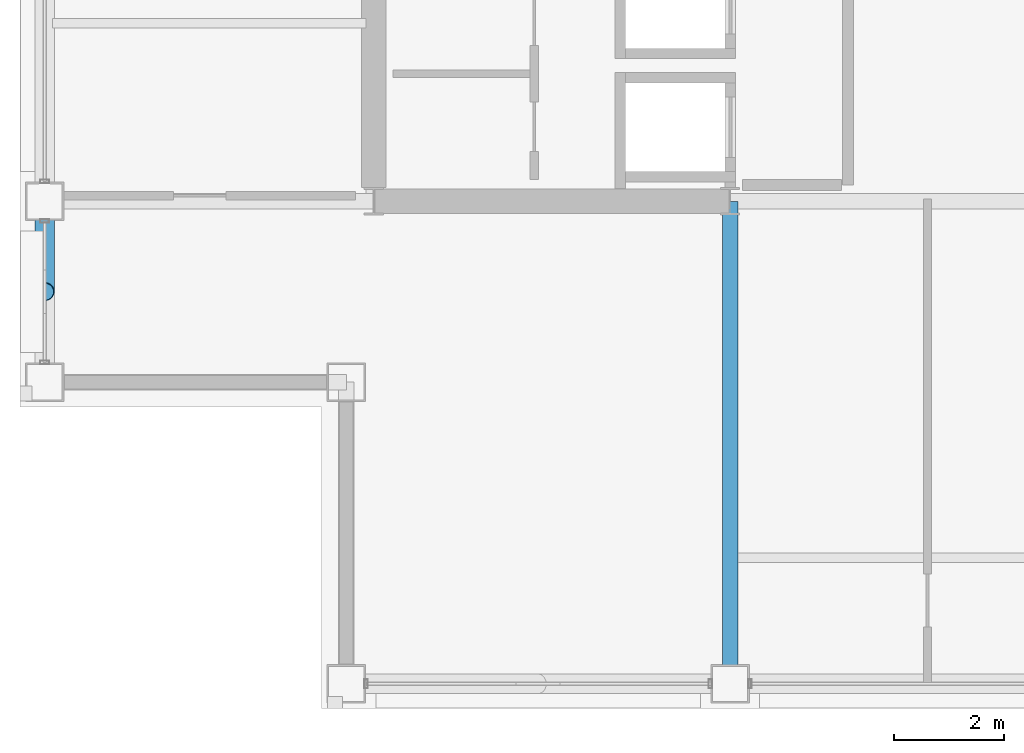
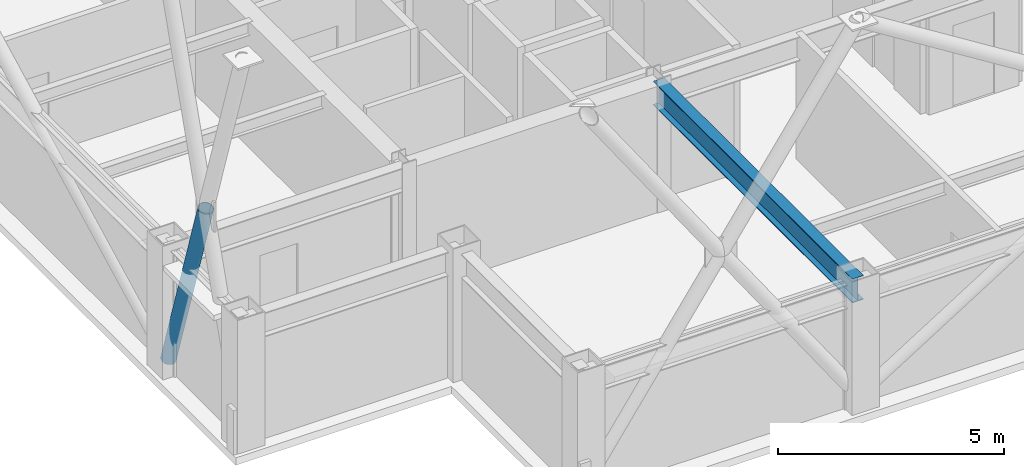
# One storey, part 5 of 33: 1 beam, 1 member.
"""IFC4 building model written with IfcOpenShell, lengths in metres."""

import ifcopenshell
import ifcopenshell.guid

model = None  # the IFC model being written
_history = None  # IfcOwnerHistory: only IFC2X3 demands one
_inside = {}  # id of a spatial element -> (the spatial element, [elements in it])
_under = {}  # id of a project, library or spatial element -> (it, [spatial elements below it])
_declared = {}  # id of a project -> (the project, [libraries it declares])
_typed = {}  # id of a type object -> (the type object, [elements of that type])
_made_of = {}  # id of a material, layer set ... -> (it, [elements and type objects made of it])


def new_model(schema):
    """Start an empty IFC model of exactly this schema.

    Asked for "IFC4X3", IfcOpenShell would pick the latest addendum, in which some entities
    have other attributes; the version numbers below select the first issue.
    IFC2X3 requires an IfcOwnerHistory on every rooted entity: one is made here for all.
    """
    global model, _history
    if schema == "IFC4X3":
        model = ifcopenshell.file(schema_version=(4, 3, 0, 0))
    else:
        model = ifcopenshell.file(schema=schema)
    _inside.clear()
    _under.clear()
    _declared.clear()
    _typed.clear()
    _made_of.clear()
    _history = None
    if model.schema == "IFC2X3":
        org = make("IfcOrganization", Name="unknown")
        user = make(
            "IfcPersonAndOrganization",
            ThePerson=make("IfcPerson", FamilyName="unknown"),
            TheOrganization=org,
        )
        app = make(
            "IfcApplication",
            ApplicationDeveloper=org,
            Version="unknown",
            ApplicationFullName="unknown",
            ApplicationIdentifier="unknown",
        )
        _history = make(
            "IfcOwnerHistory",
            OwningUser=user,
            OwningApplication=app,
            ChangeAction="ADDED",
            CreationDate=0,
        )
    return model


def make(cls, **values):
    """One entity of the class cls with the attributes given. An attribute that is None is left unset."""
    return model.create_entity(
        cls, **{name: value for name, value in values.items() if value is not None}
    )


def rooted(cls, **values):
    """An entity with a GlobalId (a new one), such as an element, a storey or a relation."""
    return make(cls, GlobalId=ifcopenshell.guid.new(), OwnerHistory=_history, **values)


def si_unit(unit_type, name, prefix=None):
    """IfcSIUnit, for example si_unit("LENGTHUNIT", "METRE", prefix="MILLI")."""
    return make("IfcSIUnit", UnitType=unit_type, Prefix=prefix, Name=name)


def assignment(units):
    """IfcUnitAssignment: the units of a project."""
    return None if units is None else make("IfcUnitAssignment", Units=units)


def point(xyz):
    """IfcCartesianPoint."""
    return None if xyz is None else make("IfcCartesianPoint", Coordinates=xyz)


def direction(xyz):
    """IfcDirection."""
    return None if xyz is None else make("IfcDirection", DirectionRatios=xyz)


def frame(location, z_axis=None, x_axis=None):
    """IfcAxis2Placement3D, a coordinate frame: its origin and axes. An axis left out is left unset."""
    return make(
        "IfcAxis2Placement3D",
        Location=point(location),
        Axis=direction(z_axis),
        RefDirection=direction(x_axis),
    )


def frame_2d(location, x_axis=None):
    """IfcAxis2Placement2D, a coordinate frame in the plane: its origin and x axis."""
    return make(
        "IfcAxis2Placement2D", Location=point(location), RefDirection=direction(x_axis)
    )


def origin():
    """The frame at (0, 0, 0) with its axes left unset."""
    return frame((0.0, 0.0, 0.0))


def origin_2d():
    """The frame at (0, 0) in the plane with its x axis left unset."""
    return frame_2d((0.0, 0.0))


def place(relative_to, where):
    """IfcLocalPlacement: puts the frame where relative to a parent placement (None: the world)."""
    return make(
        "IfcLocalPlacement", PlacementRelTo=relative_to, RelativePlacement=where
    )


def context(
    kind, dimensions, precision=None, world=None, true_north=None, identifier=None
):
    """IfcGeometricRepresentationContext, for example the 3D "Model" context."""
    return make(
        "IfcGeometricRepresentationContext",
        ContextIdentifier=identifier,
        ContextType=kind,
        CoordinateSpaceDimension=dimensions,
        Precision=precision,
        WorldCoordinateSystem=world,
        TrueNorth=true_north,
    )


def subcontext(parent, identifier, kind, view, scale=None):
    """IfcGeometricRepresentationSubContext, for example "Body" below "Model"."""
    return make(
        "IfcGeometricRepresentationSubContext",
        ContextIdentifier=identifier,
        ContextType=kind,
        ParentContext=parent,
        TargetScale=scale,
        TargetView=view,
    )


def project(units=None, contexts=None):
    """IfcProject with its units and contexts."""
    return rooted(
        "IfcProject",
        Name="project",
        RepresentationContexts=contexts,
        UnitsInContext=assignment(units),
    )


def spatial(cls, under=None, at=None, **own):
    """A site, building, storey or space (cls), placed at a placement, below another one or the project."""
    s = rooted(cls, ObjectPlacement=at, **own)
    if under is not None:
        _under.setdefault(under.id(), (under, []))[1].append(s)
    return s


def profile(cls, at=None, kind="AREA", **sizes):
    """A parametric profile (cls). Its sizes go by their IFC names, for example OverallWidth=200.0."""
    return make(cls, ProfileType=kind, Position=at, **sizes)


def hollow_circle(**sizes):
    """IfcCircleHollowProfileDef."""
    return profile("IfcCircleHollowProfileDef", **sizes)


def i_section(**sizes):
    """IfcIShapeProfileDef."""
    return profile("IfcIShapeProfileDef", **sizes)


def extrude(swept, where, along, depth):
    """IfcExtrudedAreaSolid: the profile swept, set in the frame where, extruded along a direction by depth."""
    return make(
        "IfcExtrudedAreaSolid",
        SweptArea=swept,
        Position=where,
        ExtrudedDirection=direction(along),
        Depth=depth,
    )


def shape(context_of_items, identifier, shape_type, items):
    """IfcShapeRepresentation: the items that make up one representation, for example the "Body"."""
    return make(
        "IfcShapeRepresentation",
        ContextOfItems=context_of_items,
        RepresentationIdentifier=identifier,
        RepresentationType=shape_type,
        Items=items,
    )


def material(Name=None, Category=None):
    """IfcMaterial."""
    return make("IfcMaterial", Name=Name, Category=Category)


def material_profile(
    of_material, cross_section, Name=None, Category=None, Priority=None
):
    """IfcMaterialProfile: a cross section and its material."""
    return make(
        "IfcMaterialProfile",
        Name=Name,
        Material=of_material,
        Profile=cross_section,
        Priority=Priority,
        Category=Category,
    )


def profile_set(profiles, Name=None, composite=None):
    """IfcMaterialProfileSet."""
    return make(
        "IfcMaterialProfileSet",
        Name=Name,
        MaterialProfiles=profiles,
        CompositeProfile=composite,
    )


def made_of(thing, what):
    """Note that an element or type object is made of a material, layer set ...; save() writes the relation."""
    if what is not None:
        _made_of.setdefault(what.id(), (what, []))[1].append(thing)
    return thing


def type_object(cls, material=None, **own):
    """A type object (cls), such as IfcWallType, which elements share."""
    return made_of(rooted(cls, **own), material)


def element(
    cls,
    number,
    at=None,
    inside=None,
    cuts=None,
    type_object=None,
    material=None,
    context=None,
    identifier="Body",
    shape_type=None,
    held_by="IfcProductDefinitionShape",
    body=None,
    shapes=None,
    **own,
):
    """One element of the class cls, such as IfcWall. Its Tag is "e" and its number.

    at: its placement. inside: the storey or other place that contains it. cuts: it is an
    opening in that element (IfcRelVoidsElement). A single representation is given by context,
    identifier, shape_type and body (its items); several are given by shapes. held_by: the class
    of the entity that holds the representations. save() writes the other relations.
    """
    e = rooted(cls, Tag="e%d" % number, ObjectPlacement=at, **own)
    if body is not None:
        shapes = [shape(context, identifier, shape_type, body)]
    if shapes is not None:
        e.Representation = make(held_by, Representations=shapes)
    if inside is not None:
        _inside.setdefault(inside.id(), (inside, []))[1].append(e)
    if cuts is not None:
        rooted(
            "IfcRelVoidsElement", RelatingBuildingElement=cuts, RelatedOpeningElement=e
        )
    if type_object is not None:
        _typed.setdefault(type_object.id(), (type_object, []))[1].append(e)
    return made_of(e, material)


def aggregate(whole, parts):
    """IfcRelAggregates: a whole, such as a stair, and the parts it consists of."""
    return rooted("IfcRelAggregates", RelatingObject=whole, RelatedObjects=parts)


def save(model, path):
    """Write the relations noted so far, then the file.

    IfcRelAggregates (storeys below a building ...), IfcRelContainedInSpatialStructure (elements
    in a storey), IfcRelDefinesByType, IfcRelAssociatesMaterial and IfcRelDeclares: one each for
    every whole, place, type object, material and project.
    """
    for whole, parts in _under.values():
        aggregate(whole, parts)
    for where, things in _inside.values():
        rooted(
            "IfcRelContainedInSpatialStructure",
            RelatedElements=things,
            RelatingStructure=where,
        )
    for kind, things in _typed.values():
        rooted("IfcRelDefinesByType", RelatedObjects=things, RelatingType=kind)
    for what, things in _made_of.values():
        rooted("IfcRelAssociatesMaterial", RelatedObjects=things, RelatingMaterial=what)
    for by, libraries in _declared.values():
        rooted("IfcRelDeclares", RelatingContext=by, RelatedDefinitions=libraries)
    model.write(path)


model = new_model("IFC4")

# Units and contexts
model_context = context("Model", 3, precision=1e-05, world=origin(), true_north=direction((0.0, 1.0)))
body_context = subcontext(model_context, "Body", "Model", "MODEL_VIEW")
ifc_project = project(units=[si_unit("LENGTHUNIT", "METRE"), si_unit("AREAUNIT", "SQUARE_METRE"), si_unit("VOLUMEUNIT", "CUBIC_METRE"), si_unit("PLANEANGLEUNIT", "RADIAN"), si_unit("MASSUNIT", "GRAM", prefix="KILO")], contexts=[model_context])

# Site, building, storey
site_placement = place(None, origin())
site = spatial("IfcSite", under=ifc_project, at=site_placement, CompositionType="ELEMENT")
building_placement = place(site_placement, origin())
building = spatial("IfcBuilding", under=site, at=building_placement, Name="Brelmoor Portico Tower", CompositionType="ELEMENT")
storey_placement = place(building_placement, frame((0.0, 0.0, 194.699951171875)))
storey = spatial("IfcBuildingStorey", under=building, at=storey_placement, Name="L51", CompositionType="ELEMENT", Elevation=194.699951171875)

# Beam
ifc_material = material(Name="Steel Q355B", Category="steel")
ifc_material_profile_1 = material_profile(ifc_material, i_section(OverallWidth=0.280029296875, OverallDepth=0.64990234375, WebThickness=0.012939453125, FlangeThickness=0.02197265625, at=origin_2d()), Name="HN 650x280x13x22")
ifc_profile_set_1 = profile_set([ifc_material_profile_1], Name="Steel Q355B")
beam_type = type_object("IfcBeamType", Name="BM-PG-650", PredefinedType="BEAM", material=ifc_profile_set_1)
beam_placement = place(storey_placement, frame((-8.050048828125, -18.550048828125, 3.074951171875), z_axis=(0.0, 1.0, 0.0), x_axis=(-1.0, 0.0, 0.0)))
element("IfcBeam", 1, at=beam_placement, inside=storey, type_object=beam_type, Name="L51 Primary Floor Girder PG-03", PredefinedType="BEAM", context=body_context, shape_type="SweptSolid", body=[
    extrude(i_section(OverallWidth=0.280029296875, OverallDepth=0.64990234375, WebThickness=0.012939453125, FlangeThickness=0.02197265625, at=origin_2d()), origin(), (0.0, 0.0, 1.0), 8.800048828125),
])

# Member
ifc_material_profile_2 = material_profile(ifc_material, hollow_circle(Radius=0.177978515625, WallThickness=0.01611328125, at=origin_2d()), Name="CHS 356x16")
ifc_profile_set_2 = profile_set([ifc_material_profile_2], Name="Steel Q355B")
member_type = type_object("IfcMemberType", Name="MB-BELT-DIAG2", PredefinedType="BRACE", material=ifc_profile_set_2)
member_placement = place(storey_placement, frame((-20.550048828125, -9.75, 0.25), z_axis=(0.0, -0.310556017859, 0.95055507982), x_axis=(1.0, 0.0, 0.0)))
element("IfcMember", 2, at=member_placement, inside=storey, type_object=member_type, Name="L51 Split Mega-X Brace 122B1", PredefinedType="BRACE", context=body_context, shape_type="SweptSolid", body=[
    extrude(hollow_circle(Radius=0.177978515625, WallThickness=0.01611328125, at=origin_2d()), origin(), (0.0, 0.0, 1.0), 5.312744140625),
])

save(model, "model.ifc")
